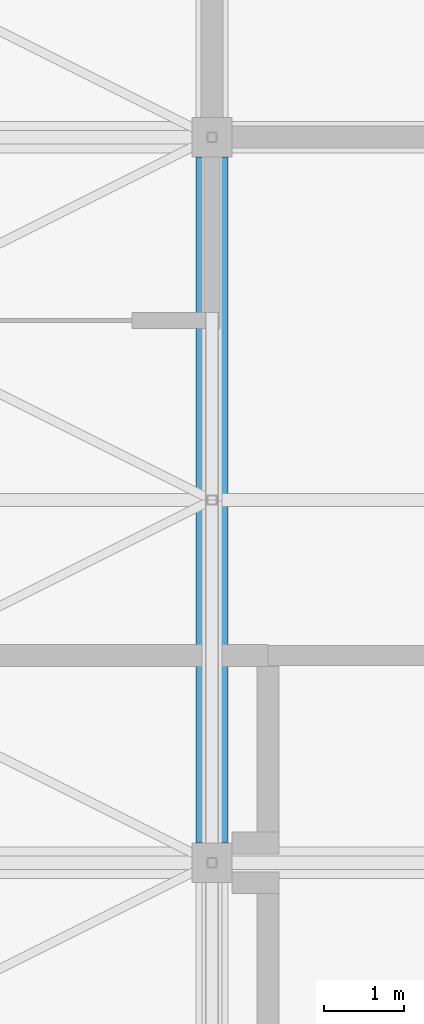
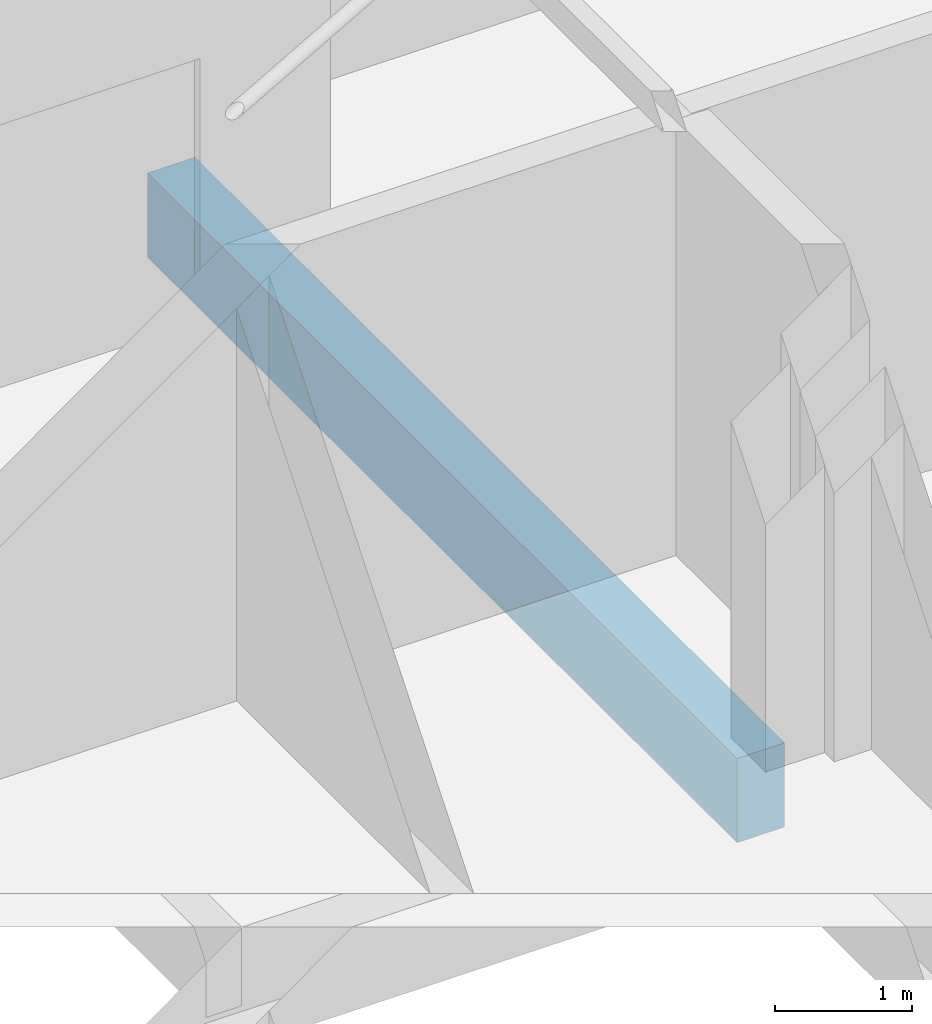
# One storey, part 55 of 500: 1 beam.
"""IFC4 building model written with IfcOpenShell, lengths in metres."""

from ifc_helpers import new_model, si_unit, direction, frame, origin, origin_2d, place, context, subcontext, project, spatial, rectangle, extrude, material, material_profile, profile_set, type_object, element, save


model = new_model("IFC4")

# Units and contexts
model_context = context("Model", 3, precision=1e-05, world=origin(), true_north=direction((0.0, 1.0)))
body_context = subcontext(model_context, "Body", "Model", "MODEL_VIEW")
ifc_project = project(units=[si_unit("LENGTHUNIT", "METRE"), si_unit("AREAUNIT", "SQUARE_METRE"), si_unit("VOLUMEUNIT", "CUBIC_METRE"), si_unit("PLANEANGLEUNIT", "RADIAN"), si_unit("MASSUNIT", "GRAM", prefix="KILO")], contexts=[model_context])

# Site, building, storey
site_placement = place(None, origin())
site = spatial("IfcSite", under=ifc_project, at=site_placement, CompositionType="ELEMENT")
building_placement = place(site_placement, origin())
building = spatial("IfcBuilding", under=site, at=building_placement, Name="Shirokan Park Arena", CompositionType="ELEMENT")
storey_placement = place(building_placement, frame((0.0, 0.0, 29.1201171875)))
storey = spatial("IfcBuildingStorey", under=building, at=storey_placement, Name="L06", CompositionType="ELEMENT", Elevation=29.1201171875)

# Beam
ifc_material = material(Name="Concrete C35", Category="concrete")
ifc_material_profile = material_profile(ifc_material, rectangle(XDim=0.39990234375, YDim=0.75, at=origin_2d()), Name="400x750")
ifc_profile_set = profile_set([ifc_material_profile], Name="Concrete C35")
beam_type = type_object("IfcBeamType", Name="RC girder 400x750", PredefinedType="BEAM", material=ifc_profile_set)
beam_placement = place(storey_placement, frame((9.10009765625, 27.550048828125, -0.5751953125), z_axis=(0.0, 1.0, 0.0), x_axis=(-1.0, 0.0, 0.0)))
element("IfcBeam", 1, at=beam_placement, inside=storey, type_object=beam_type, Name="Girder 2D-2E L06", PredefinedType="BEAM", context=body_context, shape_type="SweptSolid", body=[
    extrude(rectangle(XDim=0.39990234375, YDim=0.75, at=origin_2d()), origin(), (0.0, 0.0, 1.0), 8.599853515625),
])

save(model, "model.ifc")
